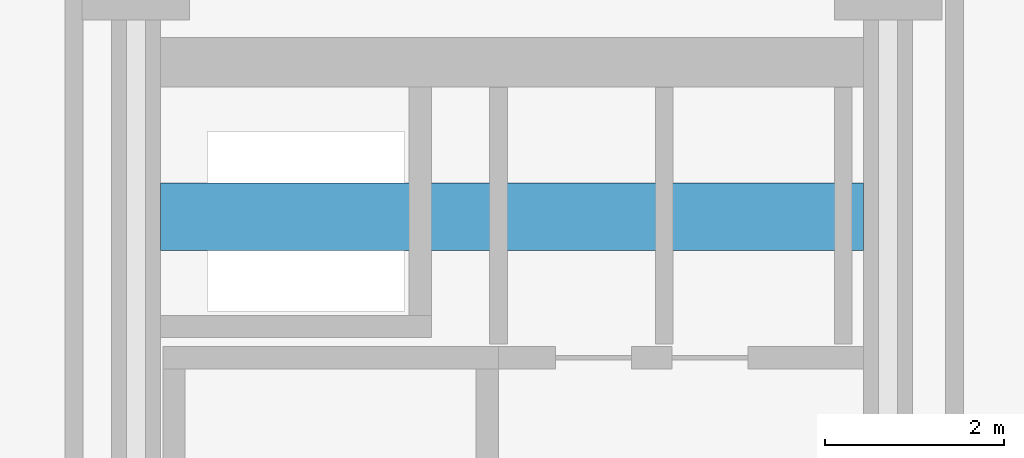
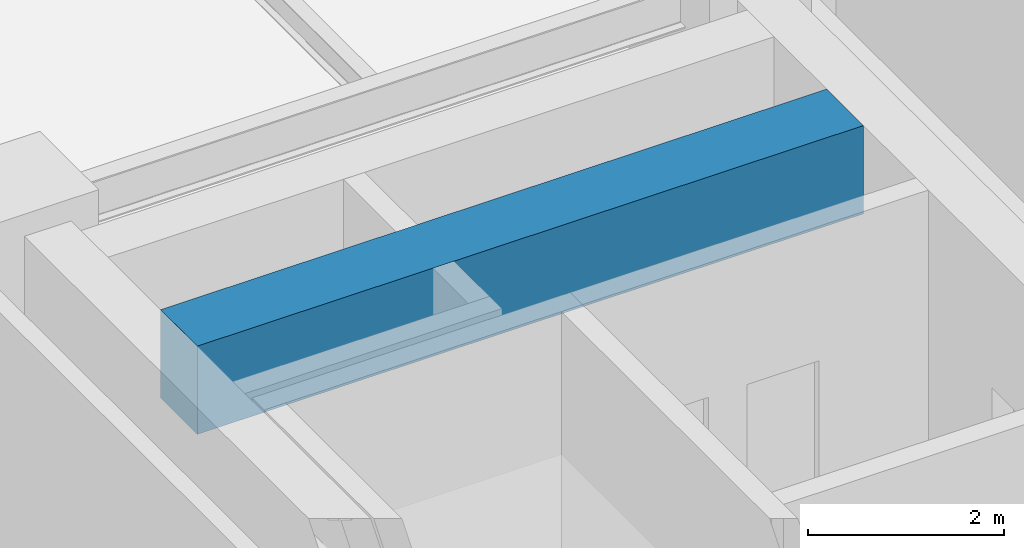
# One storey, part 17 of 29: 1 beam.
"""IFC4 building model written with IfcOpenShell, lengths in metres."""

from ifc_helpers import new_model, si_unit, direction, frame, origin, origin_2d, place, context, subcontext, project, spatial, rectangle, extrude, material, material_profile, profile_set, type_object, element, save


model = new_model("IFC4")

# Units and contexts
model_context = context("Model", 3, precision=1e-05, world=origin(), true_north=direction((0.0, 1.0)))
body_context = subcontext(model_context, "Body", "Model", "MODEL_VIEW")
ifc_project = project(units=[si_unit("LENGTHUNIT", "METRE"), si_unit("AREAUNIT", "SQUARE_METRE"), si_unit("VOLUMEUNIT", "CUBIC_METRE"), si_unit("PLANEANGLEUNIT", "RADIAN"), si_unit("MASSUNIT", "GRAM", prefix="KILO")], contexts=[model_context])

# Site, building, storey
site_placement = place(None, origin())
site = spatial("IfcSite", under=ifc_project, at=site_placement, CompositionType="ELEMENT")
building_placement = place(site_placement, origin())
building = spatial("IfcBuilding", under=site, at=building_placement, Name="Nerrivon Quay Data Exchange", CompositionType="ELEMENT")
storey_placement = place(building_placement, frame((0.0, 0.0, 125.39990234375)))
storey = spatial("IfcBuildingStorey", under=building, at=storey_placement, Name="L29", CompositionType="ELEMENT", Elevation=125.39990234375)

# Beam
ifc_material = material(Name="Concrete S65 (65 MPa)", Category="concrete")
ifc_material_profile = material_profile(ifc_material, rectangle(XDim=0.75, YDim=1.10009765625, at=origin_2d()), Name="RC-CB-750x1100")
ifc_profile_set = profile_set([ifc_material_profile], Name="Concrete S65 (65 MPa)")
beam_type = type_object("IfcBeamType", Name="BM-CB1-750x1100", PredefinedType="LINTEL", material=ifc_profile_set)
beam_placement = place(storey_placement, frame((8.675048828125, 39.199951171875, 3.275146484375), z_axis=(1.0, 0.0, 0.0), x_axis=(0.0, 1.0, 0.0)))
element("IfcBeam", 1, at=beam_placement, inside=storey, type_object=beam_type, Name="L29 West Core Coupling Beam", PredefinedType="LINTEL", context=body_context, shape_type="SweptSolid", body=[
    extrude(rectangle(XDim=0.75, YDim=1.10009765625, at=origin_2d()), origin(), (0.0, 0.0, 1.0), 7.849853515625),
])

save(model, "model.ifc")
